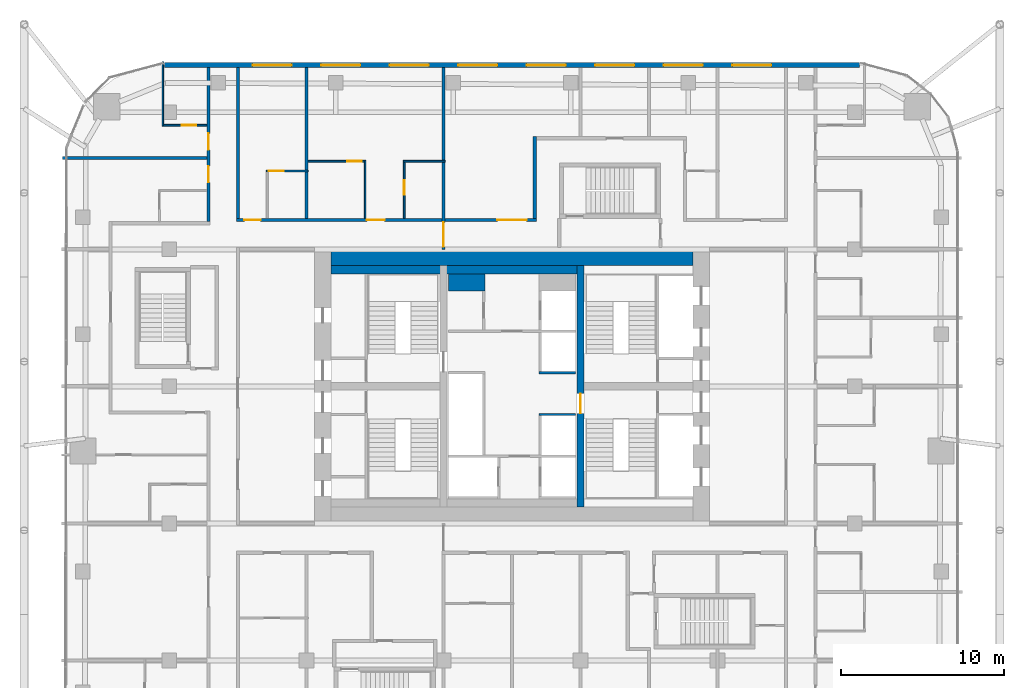
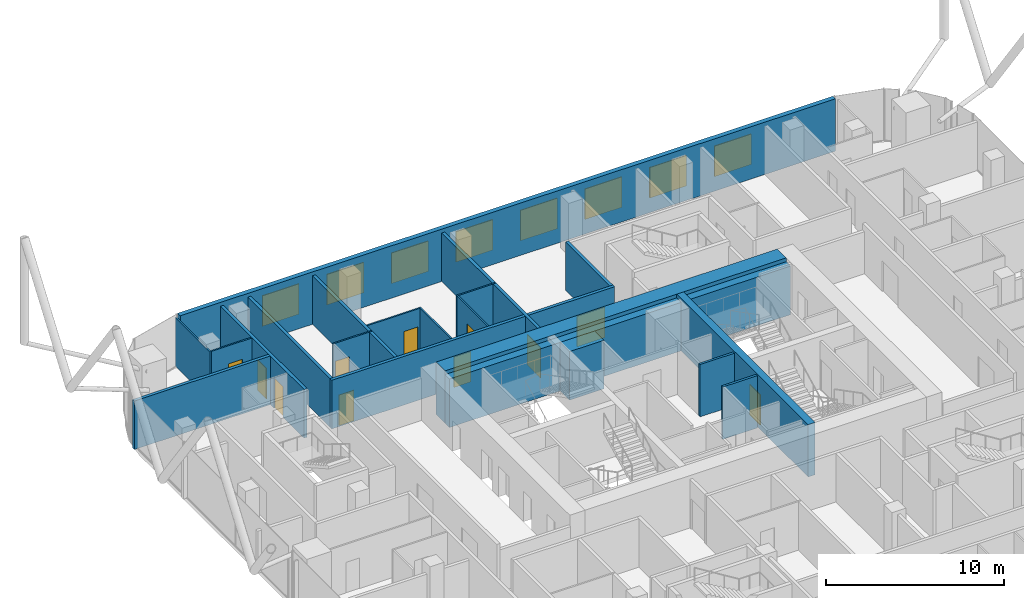
# One storey, part 32 of 36: 21 walls, 11 doors, 8 windows, 19 openings.
"""IFC4 building model written with IfcOpenShell, lengths in metres."""

from ifc_helpers import new_model, si_unit, direction, frame, frame_2d, origin, place, context, subcontext, project, spatial, rectangle, extrude, material, layer, layer_set, type_object, element, fill, save


model = new_model("IFC4")

# Units and contexts
model_context = context("Model", 3, precision=1e-05, world=origin(), true_north=direction((0.0, 1.0)))
body_context = subcontext(model_context, "Body", "Model", "MODEL_VIEW")
ifc_project = project(units=[si_unit("LENGTHUNIT", "METRE"), si_unit("AREAUNIT", "SQUARE_METRE"), si_unit("VOLUMEUNIT", "CUBIC_METRE"), si_unit("PLANEANGLEUNIT", "RADIAN"), si_unit("MASSUNIT", "GRAM", prefix="KILO")], contexts=[model_context])

# Site, building, storey
site_placement = place(None, origin())
site = spatial("IfcSite", under=ifc_project, at=site_placement, CompositionType="ELEMENT")
building_placement = place(site_placement, origin())
building = spatial("IfcBuilding", under=site, at=building_placement, Name="Marenta Gate Hotel Tower", CompositionType="ELEMENT")
storey_placement = place(building_placement, frame((0.0, 0.0, 130.10009765625)))
storey = spatial("IfcBuildingStorey", under=building, at=storey_placement, Name="L29", CompositionType="ELEMENT", Elevation=130.10009765625)

# Wall, openings, windows
ifc_material_1 = material(Name="Concrete C40 board-marked", Category="concrete")
ifc_layer_1 = layer(ifc_material_1, 0.300048828125)
ifc_layer_set_1 = layer_set([ifc_layer_1], Name="Concrete C40 board-marked")
wall_type_1 = type_object("IfcWallType", Name="Board-marked concrete wall 300 mm", PredefinedType="NOTDEFINED", material=ifc_layer_set_1)
wall_1_placement = place(storey_placement, frame((21.305908203125, 28.090087890625, 0.0), z_axis=(0.0, 0.0, 1.0), x_axis=(-1.0, 0.0, 0.0)))
wall_1 = element("IfcWall", 1, at=wall_1_placement, inside=storey, type_object=wall_type_1, Name="L29-CLD-N00", PredefinedType="NOTDEFINED", context=body_context, shape_type="SweptSolid", body=[
    extrude(rectangle(XDim=42.61181640625, YDim=0.300048828125, at=frame_2d((21.305908203125, 0.0))), origin(), (0.0, 0.0, 1.0), 3.599853515625),
])
opening_1_placement = place(wall_1_placement, frame((5.406005859375, 0.0, 0.89990234375)))
opening_1 = element("IfcOpeningElement", 2, at=opening_1_placement, cuts=wall_1, Name="Opening W1", PredefinedType="OPENING", context=body_context, shape_type="SweptSolid", body=[
    extrude(rectangle(XDim=2.39990234375, YDim=2.10009765625, at=frame_2d((1.199951171875, 1.050048828125))), frame((0.0, 0.14990234375, 0.0), z_axis=(0.0, -1.0, 0.0), x_axis=(1.0, 0.0, 0.0)), (0.0, 0.0, 1.0), 0.300048828125),
])
opening_2_placement = place(wall_1_placement, frame((9.60595703125, 0.0, 0.89990234375)))
opening_2 = element("IfcOpeningElement", 3, at=opening_2_placement, cuts=wall_1, Name="Opening W1", PredefinedType="OPENING", context=body_context, shape_type="SweptSolid", body=[
    extrude(rectangle(XDim=2.39990234375, YDim=2.10009765625, at=frame_2d((1.199951171875, 1.050048828125))), frame((0.0, 0.14990234375, 0.0), z_axis=(0.0, -1.0, 0.0), x_axis=(1.0, 0.0, 0.0)), (0.0, 0.0, 1.0), 0.300048828125),
])
opening_3_placement = place(wall_1_placement, frame((13.805908203125, 0.0, 0.89990234375)))
opening_3 = element("IfcOpeningElement", 4, at=opening_3_placement, cuts=wall_1, Name="Opening W1", PredefinedType="OPENING", context=body_context, shape_type="SweptSolid", body=[
    extrude(rectangle(XDim=2.39990234375, YDim=2.10009765625, at=frame_2d((1.199951171875, 1.050048828125))), frame((0.0, 0.14990234375, 0.0), z_axis=(0.0, -1.0, 0.0), x_axis=(1.0, 0.0, 0.0)), (0.0, 0.0, 1.0), 0.300048828125),
])
opening_4_placement = place(wall_1_placement, frame((18.005859375, 0.0, 0.89990234375)))
opening_4 = element("IfcOpeningElement", 5, at=opening_4_placement, cuts=wall_1, Name="Opening W1", PredefinedType="OPENING", context=body_context, shape_type="SweptSolid", body=[
    extrude(rectangle(XDim=2.39990234375, YDim=2.10009765625, at=frame_2d((1.199951171875, 1.050048828125))), frame((0.0, 0.14990234375, 0.0), z_axis=(0.0, -1.0, 0.0), x_axis=(1.0, 0.0, 0.0)), (0.0, 0.0, 1.0), 0.300048828125),
])
opening_5_placement = place(wall_1_placement, frame((22.205810546875, 0.0, 0.89990234375)))
opening_5 = element("IfcOpeningElement", 6, at=opening_5_placement, cuts=wall_1, Name="Opening W1", PredefinedType="OPENING", context=body_context, shape_type="SweptSolid", body=[
    extrude(rectangle(XDim=2.39990234375, YDim=2.10009765625, at=frame_2d((1.199951171875, 1.050048828125))), frame((0.0, 0.14990234375, 0.0), z_axis=(0.0, -1.0, 0.0), x_axis=(1.0, 0.0, 0.0)), (0.0, 0.0, 1.0), 0.300048828125),
])
opening_6_placement = place(wall_1_placement, frame((26.406005859375, 0.0, 0.89990234375)))
opening_6 = element("IfcOpeningElement", 7, at=opening_6_placement, cuts=wall_1, Name="Opening W1", PredefinedType="OPENING", context=body_context, shape_type="SweptSolid", body=[
    extrude(rectangle(XDim=2.39990234375, YDim=2.10009765625, at=frame_2d((1.199951171875, 1.050048828125))), frame((0.0, 0.14990234375, 0.0), z_axis=(0.0, -1.0, 0.0), x_axis=(1.0, 0.0, 0.0)), (0.0, 0.0, 1.0), 0.300048828125),
])
opening_7_placement = place(wall_1_placement, frame((30.60595703125, 0.0, 0.89990234375)))
opening_7 = element("IfcOpeningElement", 8, at=opening_7_placement, cuts=wall_1, Name="Opening W1", PredefinedType="OPENING", context=body_context, shape_type="SweptSolid", body=[
    extrude(rectangle(XDim=2.39990234375, YDim=2.10009765625, at=frame_2d((1.199951171875, 1.050048828125))), frame((0.0, 0.14990234375, 0.0), z_axis=(0.0, -1.0, 0.0), x_axis=(1.0, 0.0, 0.0)), (0.0, 0.0, 1.0), 0.300048828125),
])
opening_8_placement = place(wall_1_placement, frame((34.805908203125, 0.0, 0.89990234375)))
opening_8 = element("IfcOpeningElement", 9, at=opening_8_placement, cuts=wall_1, Name="Opening W1", PredefinedType="OPENING", context=body_context, shape_type="SweptSolid", body=[
    extrude(rectangle(XDim=2.39990234375, YDim=2.10009765625, at=frame_2d((1.199951171875, 1.050048828125))), frame((0.0, 0.14990234375, 0.0), z_axis=(0.0, -1.0, 0.0), x_axis=(1.0, 0.0, 0.0)), (0.0, 0.0, 1.0), 0.300048828125),
])
ifc_material_2 = material(Name="Tinted insulated glass in bronze anodised frame", Category="glass")
window_type = type_object("IfcWindowType", Name="Window W1 2400x2100 bronze frame", PartitioningType="SINGLE_PANEL", PredefinedType="WINDOW", material=ifc_material_2)
window_1_placement = place(opening_1_placement, origin())
window_1 = element("IfcWindow", 10, at=window_1_placement, inside=storey, type_object=window_type, Name="Window W1", OverallHeight=2.10009765625, OverallWidth=2.39990234375, PartitioningType="SINGLE_PANEL", PredefinedType="WINDOW", context=body_context, shape_type="SweptSolid", body=[
    extrude(rectangle(XDim=2.39990234375, YDim=2.10009765625, at=frame_2d((1.199951171875, 1.050048828125))), frame((0.0, 0.030029296875, 0.0), z_axis=(0.0, -1.0, 0.0), x_axis=(1.0, 0.0, 0.0)), (0.0, 0.0, 1.0), 0.06005859375),
])
fill(opening_1, window_1)
window_2_placement = place(opening_2_placement, origin())
window_2 = element("IfcWindow", 11, at=window_2_placement, inside=storey, type_object=window_type, Name="Window W1", OverallHeight=2.10009765625, OverallWidth=2.39990234375, PartitioningType="SINGLE_PANEL", PredefinedType="WINDOW", context=body_context, shape_type="SweptSolid", body=[
    extrude(rectangle(XDim=2.39990234375, YDim=2.10009765625, at=frame_2d((1.199951171875, 1.050048828125))), frame((0.0, 0.030029296875, 0.0), z_axis=(0.0, -1.0, 0.0), x_axis=(1.0, 0.0, 0.0)), (0.0, 0.0, 1.0), 0.06005859375),
])
fill(opening_2, window_2)
window_3_placement = place(opening_3_placement, origin())
window_3 = element("IfcWindow", 12, at=window_3_placement, inside=storey, type_object=window_type, Name="Window W1", OverallHeight=2.10009765625, OverallWidth=2.39990234375, PartitioningType="SINGLE_PANEL", PredefinedType="WINDOW", context=body_context, shape_type="SweptSolid", body=[
    extrude(rectangle(XDim=2.39990234375, YDim=2.10009765625, at=frame_2d((1.199951171875, 1.050048828125))), frame((0.0, 0.030029296875, 0.0), z_axis=(0.0, -1.0, 0.0), x_axis=(1.0, 0.0, 0.0)), (0.0, 0.0, 1.0), 0.06005859375),
])
fill(opening_3, window_3)
window_4_placement = place(opening_4_placement, origin())
window_4 = element("IfcWindow", 13, at=window_4_placement, inside=storey, type_object=window_type, Name="Window W1", OverallHeight=2.10009765625, OverallWidth=2.39990234375, PartitioningType="SINGLE_PANEL", PredefinedType="WINDOW", context=body_context, shape_type="SweptSolid", body=[
    extrude(rectangle(XDim=2.39990234375, YDim=2.10009765625, at=frame_2d((1.199951171875, 1.050048828125))), frame((0.0, 0.030029296875, 0.0), z_axis=(0.0, -1.0, 0.0), x_axis=(1.0, 0.0, 0.0)), (0.0, 0.0, 1.0), 0.06005859375),
])
fill(opening_4, window_4)
window_5_placement = place(opening_5_placement, origin())
window_5 = element("IfcWindow", 14, at=window_5_placement, inside=storey, type_object=window_type, Name="Window W1", OverallHeight=2.10009765625, OverallWidth=2.39990234375, PartitioningType="SINGLE_PANEL", PredefinedType="WINDOW", context=body_context, shape_type="SweptSolid", body=[
    extrude(rectangle(XDim=2.39990234375, YDim=2.10009765625, at=frame_2d((1.199951171875, 1.050048828125))), frame((0.0, 0.030029296875, 0.0), z_axis=(0.0, -1.0, 0.0), x_axis=(1.0, 0.0, 0.0)), (0.0, 0.0, 1.0), 0.06005859375),
])
fill(opening_5, window_5)
window_6_placement = place(opening_6_placement, origin())
window_6 = element("IfcWindow", 15, at=window_6_placement, inside=storey, type_object=window_type, Name="Window W1", OverallHeight=2.10009765625, OverallWidth=2.39990234375, PartitioningType="SINGLE_PANEL", PredefinedType="WINDOW", context=body_context, shape_type="SweptSolid", body=[
    extrude(rectangle(XDim=2.39990234375, YDim=2.10009765625, at=frame_2d((1.199951171875, 1.050048828125))), frame((0.0, 0.030029296875, 0.0), z_axis=(0.0, -1.0, 0.0), x_axis=(1.0, 0.0, 0.0)), (0.0, 0.0, 1.0), 0.06005859375),
])
fill(opening_6, window_6)
window_7_placement = place(opening_7_placement, origin())
window_7 = element("IfcWindow", 16, at=window_7_placement, inside=storey, type_object=window_type, Name="Window W1", OverallHeight=2.10009765625, OverallWidth=2.39990234375, PartitioningType="SINGLE_PANEL", PredefinedType="WINDOW", context=body_context, shape_type="SweptSolid", body=[
    extrude(rectangle(XDim=2.39990234375, YDim=2.10009765625, at=frame_2d((1.199951171875, 1.050048828125))), frame((0.0, 0.030029296875, 0.0), z_axis=(0.0, -1.0, 0.0), x_axis=(1.0, 0.0, 0.0)), (0.0, 0.0, 1.0), 0.06005859375),
])
fill(opening_7, window_7)
window_8_placement = place(opening_8_placement, origin())
window_8 = element("IfcWindow", 17, at=window_8_placement, inside=storey, type_object=window_type, Name="Window W1", OverallHeight=2.10009765625, OverallWidth=2.39990234375, PartitioningType="SINGLE_PANEL", PredefinedType="WINDOW", context=body_context, shape_type="SweptSolid", body=[
    extrude(rectangle(XDim=2.39990234375, YDim=2.10009765625, at=frame_2d((1.199951171875, 1.050048828125))), frame((0.0, 0.030029296875, 0.0), z_axis=(0.0, -1.0, 0.0), x_axis=(1.0, 0.0, 0.0)), (0.0, 0.0, 1.0), 0.06005859375),
])
fill(opening_8, window_8)

# Wall, opening, door
ifc_material_3 = material(Name="Concrete blockwork", Category="masonry")
ifc_layer_2 = layer(ifc_material_3, 0.199951171875)
ifc_layer_set_2 = layer_set([ifc_layer_2], Name="Concrete blockwork")
wall_type_2 = type_object("IfcWallType", Name="Compartment wall 200 REI 180", PredefinedType="PARTITIONING", material=ifc_layer_set_2)
wall_2_placement = place(storey_placement, frame((-4.199951171875, 16.800048828125, 0.0), z_axis=(0.0, 0.0, 1.0), x_axis=(0.0, 1.0, 0.0)))
wall_2 = element("IfcWall", 18, at=wall_2_placement, inside=storey, type_object=wall_type_2, Name="L29-PTN-W080", PredefinedType="PARTITIONING", context=body_context, shape_type="SweptSolid", body=[
    extrude(rectangle(XDim=11.139892578125, YDim=0.199951171875, at=frame_2d((5.56982421875, 0.0))), origin(), (0.0, 0.0, 1.0), 3.33984375),
])
opening_9_placement = place(wall_2_placement, frame((0.14990234375, 0.0, 0.0)))
opening_9 = element("IfcOpeningElement", 19, at=opening_9_placement, cuts=wall_2, Name="Opening G10-FD1", PredefinedType="OPENING", context=body_context, shape_type="SweptSolid", body=[
    extrude(rectangle(XDim=1.5, YDim=2.10009765625, at=frame_2d((0.75, 1.050048828125))), frame((0.0, 0.10009765625, 0.0), z_axis=(0.0, -1.0, 0.0), x_axis=(1.0, 0.0, 0.0)), (0.0, 0.0, 1.0), 0.199951171875),
])
ifc_material_4 = material(Name="Hollow steel door set", Category="steel")
door_type_1 = type_object("IfcDoorType", Name="Compartment fire door 1500x2100 EI 60", OperationType="DOUBLE_DOOR_DOUBLE_SWING", PredefinedType="DOOR", material=ifc_material_4)
door_1_placement = place(opening_9_placement, origin())
door_1 = element("IfcDoor", 20, at=door_1_placement, inside=storey, type_object=door_type_1, Name="L29-PD-FD01", OperationType="DOUBLE_DOOR_DOUBLE_SWING", OverallHeight=2.10009765625, OverallWidth=1.5, PredefinedType="DOOR", context=body_context, shape_type="SweptSolid", body=[
    extrude(rectangle(XDim=1.5, YDim=2.10009765625, at=frame_2d((0.75, 1.050048828125))), frame((0.0, 0.02490234375, 0.0), z_axis=(0.0, -1.0, 0.0), x_axis=(1.0, 0.0, 0.0)), (0.0, 0.0, 1.0), 0.050048828125),
])
fill(opening_9, door_1)

# Walls
ifc_material_5 = material(Name="Concrete C40", Category="concrete")
ifc_layer_3 = layer(ifc_material_5, 0.5)
ifc_layer_set_3 = layer_set([ifc_layer_3], Name="Concrete C40")
wall_type_3 = type_object("IfcWallType", Name="Core lining wall 500 REI 180", PredefinedType="PARTITIONING", material=ifc_layer_set_3)
wall_3_placement = place(storey_placement, frame((-11.10009765625, 15.550048828125, 0.0), z_axis=(0.0, 0.0, 1.0), x_axis=(1.0, 0.0, 0.0)))
element("IfcWall", 21, at=wall_3_placement, inside=storey, type_object=wall_type_3, Name="L29-CP-LN-N", PredefinedType="PARTITIONING", context=body_context, shape_type="SweptSolid", body=[
    extrude(rectangle(XDim=22.2001953125, YDim=0.5, at=frame_2d((11.10009765625, 0.0))), origin(), (0.0, 0.0, 1.0), 3.33984375),
])
ifc_material_6 = material(Name="Concrete blockwork", Category="masonry")
ifc_layer_4 = layer(ifc_material_6, 1.050048828125)
ifc_layer_set_4 = layer_set([ifc_layer_4], Name="Concrete blockwork")
wall_type_4 = type_object("IfcWallType", Name="Core room partition 1050 REI 180", PredefinedType="PARTITIONING", material=ifc_layer_set_4)
wall_4_placement = place(storey_placement, frame((-3.89990234375, 14.77490234375, 0.0), z_axis=(0.0, 0.0, 1.0), x_axis=(1.0, 0.0, 0.0)))
element("IfcWall", 22, at=wall_4_placement, inside=storey, type_object=wall_type_4, Name="L29-CP-CW-W-riser-N", PredefinedType="PARTITIONING", context=body_context, shape_type="SweptSolid", body=[
    extrude(rectangle(XDim=2.25, YDim=1.050048828125, at=frame_2d((1.125, 0.0))), origin(), (0.0, 0.0, 1.0), 3.33984375),
])
ifc_material_7 = material(Name="Concrete C40", Category="concrete")
ifc_layer_5 = layer(ifc_material_7, 0.14990234375)
ifc_layer_set_5 = layer_set([ifc_layer_5], Name="Concrete C40")
wall_type_5 = type_object("IfcWallType", Name="Core shaft wall 150 REI 180", PredefinedType="SHEAR", material=ifc_layer_set_5)
for number, where, z_axis, x_axis, name in (
    (23, (1.64990234375, 6.675048828125, 0.0), (0.0, 0.0, 1.0), (1.0, 0.0, 0.0), "L29-SHF-CE-sep1"),
    (24, (1.64990234375, 9.22509765625, 0.0), (0.0, 0.0, 1.0), (1.0, 0.0, 0.0), "L29-SHF-CE-sep2"),
):
    element("IfcWall", number, at=place(storey_placement, frame(where, z_axis=z_axis, x_axis=x_axis)), inside=storey, type_object=wall_type_5, Name=name, PredefinedType="SHEAR", context=body_context, shape_type="SweptSolid", body=[
        extrude(rectangle(XDim=2.25, YDim=0.14990234375, at=frame_2d((1.125, 0.0))), origin(), (0.0, 0.0, 1.0), 3.599853515625),
    ])
ifc_material_8 = material(Name="Concrete C70", Category="concrete")
ifc_layer_6 = layer(ifc_material_8, 1.0)
ifc_layer_set_6 = layer_set([ifc_layer_6], Name="Concrete C70")
wall_type_6 = type_object("IfcWallType", Name="Core wall 1000 C70", PredefinedType="SHEAR", material=ifc_layer_set_6)
wall_5_placement = place(storey_placement, frame((-11.10009765625, 16.300048828125, 0.0), z_axis=(0.0, 0.0, 1.0), x_axis=(1.0, 0.0, 0.0)))
element("IfcWall", 25, at=wall_5_placement, inside=storey, type_object=wall_type_6, Name="L29-CORE-N", PredefinedType="SHEAR", context=body_context, shape_type="SweptSolid", body=[
    extrude(rectangle(XDim=22.2001953125, YDim=1.0, at=frame_2d((11.10009765625, 0.0))), origin(), (0.0, 0.0, 1.0), 3.599853515625),
])

# Wall, opening, door
ifc_material_9 = material(Name="Concrete C70", Category="concrete")
ifc_layer_7 = layer(ifc_material_9, 0.449951171875)
ifc_layer_set_7 = layer_set([ifc_layer_7], Name="Concrete C70")
wall_type_7 = type_object("IfcWallType", Name="Core web 450 C70", PredefinedType="SHEAR", material=ifc_layer_set_7)
wall_6_placement = place(storey_placement, frame((4.199951171875, 1.0, 0.0), z_axis=(0.0, 0.0, 1.0), x_axis=(0.0, 1.0, 0.0)))
wall_6 = element("IfcWall", 26, at=wall_6_placement, inside=storey, type_object=wall_type_7, Name="L29-CORE-W2", PredefinedType="SHEAR", context=body_context, shape_type="SweptSolid", body=[
    extrude(rectangle(XDim=14.800048828125, YDim=0.449951171875, at=frame_2d((7.39990234375, 0.0))), origin(), (0.0, 0.0, 1.0), 3.599853515625),
])
opening_10_placement = place(wall_6_placement, frame((5.75, 0.0, 0.0)))
opening_10 = element("IfcOpeningElement", 27, at=opening_10_placement, cuts=wall_6, Name="Opening WD-E", PredefinedType="OPENING", context=body_context, shape_type="SweptSolid", body=[
    extrude(rectangle(XDim=1.199951171875, YDim=2.10009765625, at=frame_2d((0.60009765625, 1.050048828125))), frame((0.0, 0.22509765625, 0.0), z_axis=(0.0, -1.0, 0.0), x_axis=(1.0, 0.0, 0.0)), (0.0, 0.0, 1.0), 0.449951171875),
])
ifc_material_10 = material(Name="Steel", Category="steel")
door_type_2 = type_object("IfcDoorType", Name="Core stair door 1200x2100 FD60", OperationType="SINGLE_SWING_LEFT", PredefinedType="DOOR", material=ifc_material_10)
door_2_placement = place(opening_10_placement, origin())
door_2 = element("IfcDoor", 28, at=door_2_placement, inside=storey, type_object=door_type_2, Name="WD-E", OperationType="SINGLE_SWING_LEFT", OverallHeight=2.10009765625, OverallWidth=1.199951171875, PredefinedType="DOOR", context=body_context, shape_type="SweptSolid", body=[
    extrude(rectangle(XDim=1.199951171875, YDim=2.10009765625, at=frame_2d((0.60009765625, 1.050048828125))), frame((0.0, 0.02490234375, 0.0), z_axis=(0.0, -1.0, 0.0), x_axis=(1.0, 0.0, 0.0)), (0.0, 0.0, 1.0), 0.050048828125),
])
fill(opening_10, door_2)

# Walls
ifc_material_11 = material(Name="Gypsum board on steel stud", Category="steel")
ifc_layer_8 = layer(ifc_material_11, 0.199951171875)
ifc_layer_set_8 = layer_set([ifc_layer_8], Name="Gypsum board on steel stud")
wall_type_8 = type_object("IfcWallType", Name="Room corridor wall 200 EI 60", PredefinedType="PARTITIONING", material=ifc_layer_set_8)
wall_7_placement = place(storey_placement, frame((1.39990234375, 18.699951171875, 0.0), z_axis=(0.0, 0.0, 1.0), x_axis=(0.0, 1.0, 0.0)))
element("IfcWall", 29, at=wall_7_placement, inside=storey, type_object=wall_type_8, Name="L29-PTN-W071", PredefinedType="PARTITIONING", context=body_context, shape_type="SweptSolid", body=[
    extrude(rectangle(XDim=5.0, YDim=0.199951171875, at=frame_2d((2.5, 0.0))), origin(), (0.0, 0.0, 1.0), 3.33984375),
])
wall_8_placement = place(storey_placement, frame((-16.800048828125, 18.699951171875, 0.0), z_axis=(0.0, 0.0, 1.0), x_axis=(0.0, 1.0, 0.0)))
element("IfcWall", 30, at=wall_8_placement, inside=storey, type_object=wall_type_8, Name="L29-PTN-W106", PredefinedType="PARTITIONING", context=body_context, shape_type="SweptSolid", body=[
    extrude(rectangle(XDim=9.239990234375, YDim=0.199951171875, at=frame_2d((4.6201171875, 0.0))), origin(), (0.0, 0.0, 1.0), 3.33984375),
])

# Wall, openings, doors
wall_9_placement = place(storey_placement, frame((-18.60009765625, 18.5, 0.0), z_axis=(0.0, 0.0, 1.0), x_axis=(0.0, 1.0, 0.0)))
wall_9 = element("IfcWall", 31, at=wall_9_placement, inside=storey, type_object=wall_type_8, Name="L29-PTN-W112", PredefinedType="PARTITIONING", context=body_context, shape_type="SweptSolid", body=[
    extrude(rectangle(XDim=9.43994140625, YDim=0.199951171875, at=frame_2d((4.719970703125, 0.0))), origin(), (0.0, 0.0, 1.0), 3.33984375),
])
opening_11_placement = place(wall_9_placement, frame((2.39990234375, 0.0, 0.0)))
opening_11 = element("IfcOpeningElement", 32, at=opening_11_placement, cuts=wall_9, Name="Opening G10-65", PredefinedType="OPENING", context=body_context, shape_type="SweptSolid", body=[
    extrude(rectangle(XDim=1.0, YDim=2.10009765625, at=frame_2d((0.5, 1.050048828125))), frame((0.0, 0.10009765625, 0.0), z_axis=(0.0, -1.0, 0.0), x_axis=(1.0, 0.0, 0.0)), (0.0, 0.0, 1.0), 0.199951171875),
])
opening_12_placement = place(wall_9_placement, frame((4.39990234375, 0.0, 0.0)))
opening_12 = element("IfcOpeningElement", 33, at=opening_12_placement, cuts=wall_9, Name="Opening G10-67", PredefinedType="OPENING", context=body_context, shape_type="SweptSolid", body=[
    extrude(rectangle(XDim=1.0, YDim=2.10009765625, at=frame_2d((0.5, 1.050048828125))), frame((0.0, 0.10009765625, 0.0), z_axis=(0.0, -1.0, 0.0), x_axis=(1.0, 0.0, 0.0)), (0.0, 0.0, 1.0), 0.199951171875),
])
ifc_material_12 = material(Name="Timber door leaf", Category="wood")
door_type_3 = type_object("IfcDoorType", Name="Guest room door 1000x2100 EI 30", OperationType="NOTDEFINED", PredefinedType="DOOR", material=ifc_material_12)
door_3_placement = place(opening_11_placement, origin())
door_3 = element("IfcDoor", 34, at=door_3_placement, inside=storey, type_object=door_type_3, Name="L29-PD-D065", OperationType="SINGLE_SWING_RIGHT", OverallHeight=2.10009765625, OverallWidth=1.0, PredefinedType="DOOR", context=body_context, shape_type="SweptSolid", body=[
    extrude(rectangle(XDim=1.0, YDim=2.10009765625, at=frame_2d((0.5, 1.050048828125))), frame((0.0, 0.02490234375, 0.0), z_axis=(0.0, -1.0, 0.0), x_axis=(1.0, 0.0, 0.0)), (0.0, 0.0, 1.0), 0.050048828125),
])
fill(opening_11, door_3)
door_4_placement = place(opening_12_placement, origin())
door_4 = element("IfcDoor", 35, at=door_4_placement, inside=storey, type_object=door_type_3, Name="L29-PD-D067", OperationType="SINGLE_SWING_RIGHT", OverallHeight=2.10009765625, OverallWidth=1.0, PredefinedType="DOOR", context=body_context, shape_type="SweptSolid", body=[
    extrude(rectangle(XDim=1.0, YDim=2.10009765625, at=frame_2d((0.5, 1.050048828125))), frame((0.0, 0.02490234375, 0.0), z_axis=(0.0, -1.0, 0.0), x_axis=(1.0, 0.0, 0.0)), (0.0, 0.0, 1.0), 0.050048828125),
])
fill(opening_12, door_4)

wall_10_placement = place(storey_placement, frame((-16.89990234375, 18.60009765625, 0.0), z_axis=(0.0, 0.0, 1.0), x_axis=(1.0, 0.0, 0.0)))
wall_10 = element("IfcWall", 36, at=wall_10_placement, inside=storey, type_object=wall_type_8, Name="L29-PTN-W113", PredefinedType="PARTITIONING", context=body_context, shape_type="SweptSolid", body=[
    extrude(rectangle(XDim=18.39990234375, YDim=0.199951171875, at=frame_2d((9.199951171875, 0.0))), origin(), (0.0, 0.0, 1.0), 3.33984375),
])
opening_13_placement = place(wall_10_placement, frame((0.5, 0.0, 0.0)))
opening_13 = element("IfcOpeningElement", 37, at=opening_13_placement, cuts=wall_10, Name="Opening G10-30", PredefinedType="OPENING", context=body_context, shape_type="SweptSolid", body=[
    extrude(rectangle(XDim=1.0, YDim=2.10009765625, at=frame_2d((0.5, 1.050048828125))), frame((0.0, 0.10009765625, 0.0), z_axis=(0.0, -1.0, 0.0), x_axis=(1.0, 0.0, 0.0)), (0.0, 0.0, 1.0), 0.199951171875),
])
opening_14_placement = place(wall_10_placement, frame((8.0, 0.0, 0.0)))
opening_14 = element("IfcOpeningElement", 38, at=opening_14_placement, cuts=wall_10, Name="Opening G10-32", PredefinedType="OPENING", context=body_context, shape_type="SweptSolid", body=[
    extrude(rectangle(XDim=1.10009765625, YDim=2.10009765625, at=frame_2d((0.550048828125, 1.050048828125))), frame((0.0, 0.10009765625, 0.0), z_axis=(0.0, -1.0, 0.0), x_axis=(1.0, 0.0, 0.0)), (0.0, 0.0, 1.0), 0.199951171875),
])
opening_15_placement = place(wall_10_placement, frame((16.0, 0.0, 0.0)))
opening_15 = element("IfcOpeningElement", 39, at=opening_15_placement, cuts=wall_10, Name="Opening G10-35", PredefinedType="OPENING", context=body_context, shape_type="SweptSolid", body=[
    extrude(rectangle(XDim=1.800048828125, YDim=2.10009765625, at=frame_2d((0.89990234375, 1.050048828125))), frame((0.0, 0.10009765625, 0.0), z_axis=(0.0, -1.0, 0.0), x_axis=(1.0, 0.0, 0.0)), (0.0, 0.0, 1.0), 0.199951171875),
])
door_5_placement = place(opening_13_placement, origin())
door_5 = element("IfcDoor", 40, at=door_5_placement, inside=storey, type_object=door_type_3, Name="L29-PD-D030", OperationType="SINGLE_SWING_LEFT", OverallHeight=2.10009765625, OverallWidth=1.0, PredefinedType="DOOR", context=body_context, shape_type="SweptSolid", body=[
    extrude(rectangle(XDim=1.0, YDim=2.10009765625, at=frame_2d((0.5, 1.050048828125))), frame((0.0, 0.02490234375, 0.0), z_axis=(0.0, -1.0, 0.0), x_axis=(1.0, 0.0, 0.0)), (0.0, 0.0, 1.0), 0.050048828125),
])
fill(opening_13, door_5)
ifc_material_13 = material(Name="Timber door leaf", Category="wood")
door_type_4 = type_object("IfcDoorType", Name="Guest room door 1100x2100 EI 30", OperationType="NOTDEFINED", PredefinedType="DOOR", material=ifc_material_13)
door_6_placement = place(opening_14_placement, origin())
door_6 = element("IfcDoor", 41, at=door_6_placement, inside=storey, type_object=door_type_4, Name="L29-PD-D032", OperationType="SINGLE_SWING_LEFT", OverallHeight=2.10009765625, OverallWidth=1.10009765625, PredefinedType="DOOR", context=body_context, shape_type="SweptSolid", body=[
    extrude(rectangle(XDim=1.10009765625, YDim=2.10009765625, at=frame_2d((0.550048828125, 1.050048828125))), frame((0.0, 0.02490234375, 0.0), z_axis=(0.0, -1.0, 0.0), x_axis=(1.0, 0.0, 0.0)), (0.0, 0.0, 1.0), 0.050048828125),
])
fill(opening_14, door_6)
ifc_material_14 = material(Name="Timber door leaf", Category="wood")
door_type_5 = type_object("IfcDoorType", Name="Room amenity door 1800x2100 EI 30", OperationType="DOUBLE_DOOR_SINGLE_SWING", PredefinedType="DOOR", material=ifc_material_14)
door_7_placement = place(opening_15_placement, origin())
door_7 = element("IfcDoor", 42, at=door_7_placement, inside=storey, type_object=door_type_5, Name="L29-PD-D035", OperationType="DOUBLE_DOOR_SINGLE_SWING", OverallHeight=2.10009765625, OverallWidth=1.800048828125, PredefinedType="DOOR", context=body_context, shape_type="SweptSolid", body=[
    extrude(rectangle(XDim=1.800048828125, YDim=2.10009765625, at=frame_2d((0.89990234375, 1.050048828125))), frame((0.0, 0.02490234375, 0.0), z_axis=(0.0, -1.0, 0.0), x_axis=(1.0, 0.0, 0.0)), (0.0, 0.0, 1.0), 0.050048828125),
])
fill(opening_15, door_7)

# Wall, opening, door
ifc_material_15 = material(Name="Gypsum board on steel stud", Category="steel")
ifc_layer_9 = layer(ifc_material_15, 0.10009765625)
ifc_layer_set_9 = layer_set([ifc_layer_9], Name="Gypsum board on steel stud")
wall_type_9 = type_object("IfcWallType", Name="Room partition 100", PredefinedType="PARTITIONING", material=ifc_layer_set_9)
wall_11_placement = place(storey_placement, frame((-6.60009765625, 18.699951171875, 0.0), z_axis=(0.0, 0.0, 1.0), x_axis=(0.0, 1.0, 0.0)))
wall_11 = element("IfcWall", 43, at=wall_11_placement, inside=storey, type_object=wall_type_9, Name="L29-PTN-W085", PredefinedType="PARTITIONING", context=body_context, shape_type="SweptSolid", body=[
    extrude(rectangle(XDim=3.449951171875, YDim=0.10009765625, at=frame_2d((1.72509765625, 0.0))), origin(), (0.0, 0.0, 1.0), 3.33984375),
])
opening_16_placement = place(wall_11_placement, frame((1.429931640625, 0.0, 0.0)))
opening_16 = element("IfcOpeningElement", 44, at=opening_16_placement, cuts=wall_11, Name="Opening G10-34", PredefinedType="OPENING", context=body_context, shape_type="SweptSolid", body=[
    extrude(rectangle(XDim=0.89990234375, YDim=2.10009765625, at=frame_2d((0.449951171875, 1.050048828125))), frame((0.0, 0.050048828125, 0.0), z_axis=(0.0, -1.0, 0.0), x_axis=(1.0, 0.0, 0.0)), (0.0, 0.0, 1.0), 0.10009765625),
])
ifc_material_16 = material(Name="Timber door leaf", Category="wood")
door_type_6 = type_object("IfcDoorType", Name="Room inner door 900x2100", OperationType="NOTDEFINED", PredefinedType="DOOR", material=ifc_material_16)
door_8_placement = place(opening_16_placement, origin())
door_8 = element("IfcDoor", 45, at=door_8_placement, inside=storey, type_object=door_type_6, Name="L29-PD-D034", OperationType="SINGLE_SWING_LEFT", OverallHeight=2.10009765625, OverallWidth=0.89990234375, PredefinedType="DOOR", context=body_context, shape_type="SweptSolid", body=[
    extrude(rectangle(XDim=0.89990234375, YDim=2.10009765625, at=frame_2d((0.449951171875, 1.050048828125))), frame((0.0, 0.02490234375, 0.0), z_axis=(0.0, -1.0, 0.0), x_axis=(1.0, 0.0, 0.0)), (0.0, 0.0, 1.0), 0.050048828125),
])
fill(opening_16, door_8)

# Walls
wall_12_placement = place(storey_placement, frame((-9.0, 18.699951171875, 0.0), z_axis=(0.0, 0.0, 1.0), x_axis=(0.0, 1.0, 0.0)))
element("IfcWall", 46, at=wall_12_placement, inside=storey, type_object=wall_type_9, Name="L29-PTN-W091", PredefinedType="PARTITIONING", context=body_context, shape_type="SweptSolid", body=[
    extrude(rectangle(XDim=3.550048828125, YDim=0.10009765625, at=frame_2d((1.77490234375, 0.0))), origin(), (0.0, 0.0, 1.0), 3.33984375),
])
wall_13_placement = place(storey_placement, frame((-21.39990234375, 24.35009765625, 0.0), z_axis=(0.0, 0.0, 1.0), x_axis=(0.0, 1.0, 0.0)))
element("IfcWall", 47, at=wall_13_placement, inside=storey, type_object=wall_type_9, Name="L29-PTN-W118", PredefinedType="PARTITIONING", context=body_context, shape_type="SweptSolid", body=[
    extrude(rectangle(XDim=3.93701171875, YDim=0.10009765625, at=frame_2d((1.968505859375, 0.0))), origin(), (0.0, 0.0, 1.0), 3.33984375),
])

# Wall, opening, door
wall_14_placement = place(storey_placement, frame((-15.050048828125, 21.60009765625, 0.0), z_axis=(0.0, 0.0, 1.0), x_axis=(1.0, 0.0, 0.0)))
wall_14 = element("IfcWall", 48, at=wall_14_placement, inside=storey, type_object=wall_type_9, Name="L29-PTN-W120", PredefinedType="PARTITIONING", context=body_context, shape_type="SweptSolid", body=[
    extrude(rectangle(XDim=2.550048828125, YDim=0.10009765625, at=frame_2d((1.27490234375, 0.0))), origin(), (0.0, 0.0, 1.0), 3.33984375),
])
opening_17_placement = place(wall_14_placement, frame((0.14990234375, 0.0, 0.0)))
opening_17 = element("IfcOpeningElement", 49, at=opening_17_placement, cuts=wall_14, Name="Opening G10-31", PredefinedType="OPENING", context=body_context, shape_type="SweptSolid", body=[
    extrude(rectangle(XDim=0.89990234375, YDim=2.10009765625, at=frame_2d((0.449951171875, 1.050048828125))), frame((0.0, 0.050048828125, 0.0), z_axis=(0.0, -1.0, 0.0), x_axis=(1.0, 0.0, 0.0)), (0.0, 0.0, 1.0), 0.10009765625),
])
ifc_material_17 = material(Name="Timber door leaf", Category="wood")
door_type_7 = type_object("IfcDoorType", Name="Guest bathroom door 900x2100", OperationType="NOTDEFINED", PredefinedType="DOOR", material=ifc_material_17)
door_9_placement = place(opening_17_placement, origin())
door_9 = element("IfcDoor", 50, at=door_9_placement, inside=storey, type_object=door_type_7, Name="L29-PD-D031", OperationType="SINGLE_SWING_RIGHT", OverallHeight=2.10009765625, OverallWidth=0.89990234375, PredefinedType="DOOR", context=body_context, shape_type="SweptSolid", body=[
    extrude(rectangle(XDim=0.89990234375, YDim=2.10009765625, at=frame_2d((0.449951171875, 1.050048828125))), frame((0.0, 0.02490234375, 0.0), z_axis=(0.0, -1.0, 0.0), x_axis=(1.0, 0.0, 0.0)), (0.0, 0.0, 1.0), 0.050048828125),
])
fill(opening_17, door_9)

wall_15_placement = place(storey_placement, frame((-12.5, 22.199951171875, 0.0), z_axis=(0.0, 0.0, 1.0), x_axis=(1.0, 0.0, 0.0)))
wall_15 = element("IfcWall", 51, at=wall_15_placement, inside=storey, type_object=wall_type_9, Name="L29-PTN-W123", PredefinedType="PARTITIONING", context=body_context, shape_type="SweptSolid", body=[
    extrude(rectangle(XDim=3.449951171875, YDim=0.10009765625, at=frame_2d((1.72509765625, 0.0))), origin(), (0.0, 0.0, 1.0), 3.33984375),
])
opening_18_placement = place(wall_15_placement, frame((2.39990234375, 0.0, 0.0)))
opening_18 = element("IfcOpeningElement", 52, at=opening_18_placement, cuts=wall_15, Name="Opening G10-33", PredefinedType="OPENING", context=body_context, shape_type="SweptSolid", body=[
    extrude(rectangle(XDim=0.89990234375, YDim=2.10009765625, at=frame_2d((0.449951171875, 1.050048828125))), frame((0.0, 0.050048828125, 0.0), z_axis=(0.0, -1.0, 0.0), x_axis=(1.0, 0.0, 0.0)), (0.0, 0.0, 1.0), 0.10009765625),
])
door_10_placement = place(opening_18_placement, origin())
door_10 = element("IfcDoor", 53, at=door_10_placement, inside=storey, type_object=door_type_7, Name="L29-PD-D033", OperationType="SINGLE_SWING_LEFT", OverallHeight=2.10009765625, OverallWidth=0.89990234375, PredefinedType="DOOR", context=body_context, shape_type="SweptSolid", body=[
    extrude(rectangle(XDim=0.89990234375, YDim=2.10009765625, at=frame_2d((0.449951171875, 1.050048828125))), frame((0.0, 0.02490234375, 0.0), z_axis=(0.0, -1.0, 0.0), x_axis=(1.0, 0.0, 0.0)), (0.0, 0.0, 1.0), 0.050048828125),
])
fill(opening_18, door_10)

# Wall
wall_16_placement = place(storey_placement, frame((-6.64990234375, 22.199951171875, 0.0), z_axis=(0.0, 0.0, 1.0), x_axis=(1.0, 0.0, 0.0)))
element("IfcWall", 54, at=wall_16_placement, inside=storey, type_object=wall_type_9, Name="L29-PTN-W124", PredefinedType="PARTITIONING", context=body_context, shape_type="SweptSolid", body=[
    extrude(rectangle(XDim=2.5498046875, YDim=0.10009765625, at=frame_2d((1.27490234375, 0.0))), origin(), (0.0, 0.0, 1.0), 3.33984375),
])

# Wall, opening, door
wall_17_placement = place(storey_placement, frame((-21.35009765625, 24.39990234375, 0.0), z_axis=(0.0, 0.0, 1.0), x_axis=(1.0, 0.0, 0.0)))
wall_17 = element("IfcWall", 55, at=wall_17_placement, inside=storey, type_object=wall_type_9, Name="L29-PTN-W129", PredefinedType="PARTITIONING", context=body_context, shape_type="SweptSolid", body=[
    extrude(rectangle(XDim=2.650146484375, YDim=0.10009765625, at=frame_2d((1.3251953125, 0.0))), origin(), (0.0, 0.0, 1.0), 3.33984375),
])
opening_19_placement = place(wall_17_placement, frame((1.110107421875, 0.0, 0.0)))
opening_19 = element("IfcOpeningElement", 56, at=opening_19_placement, cuts=wall_17, Name="Opening G10-68", PredefinedType="OPENING", context=body_context, shape_type="SweptSolid", body=[
    extrude(rectangle(XDim=0.89990234375, YDim=2.10009765625, at=frame_2d((0.449951171875, 1.050048828125))), frame((0.0, 0.050048828125, 0.0), z_axis=(0.0, -1.0, 0.0), x_axis=(1.0, 0.0, 0.0)), (0.0, 0.0, 1.0), 0.10009765625),
])
door_11_placement = place(opening_19_placement, origin())
door_11 = element("IfcDoor", 57, at=door_11_placement, inside=storey, type_object=door_type_7, Name="L29-PD-D068", OperationType="SINGLE_SWING_LEFT", OverallHeight=2.10009765625, OverallWidth=0.89990234375, PredefinedType="DOOR", context=body_context, shape_type="SweptSolid", body=[
    extrude(rectangle(XDim=0.89990234375, YDim=2.10009765625, at=frame_2d((0.449951171875, 1.050048828125))), frame((0.0, 0.02490234375, 0.0), z_axis=(0.0, -1.0, 0.0), x_axis=(1.0, 0.0, 0.0)), (0.0, 0.0, 1.0), 0.050048828125),
])
fill(opening_19, door_11)

# Walls
ifc_material_18 = material(Name="Gypsum board on steel stud", Category="steel")
ifc_layer_10 = layer(ifc_material_18, 0.199951171875)
ifc_layer_set_10 = layer_set([ifc_layer_10], Name="Gypsum board on steel stud")
wall_type_10 = type_object("IfcWallType", Name="Room party wall 200 EI 60", PredefinedType="PARTITIONING", material=ifc_layer_set_10)
wall_18_placement = place(storey_placement, frame((-12.60009765625, 18.699951171875, 0.0), z_axis=(0.0, 0.0, 1.0), x_axis=(0.0, 1.0, 0.0)))
element("IfcWall", 58, at=wall_18_placement, inside=storey, type_object=wall_type_10, Name="L29-PTN-W098", PredefinedType="PARTITIONING", context=body_context, shape_type="SweptSolid", body=[
    extrude(rectangle(XDim=9.239990234375, YDim=0.199951171875, at=frame_2d((4.6201171875, 0.0))), origin(), (0.0, 0.0, 1.0), 3.33984375),
])
wall_19_placement = place(storey_placement, frame((-27.547119140625, 22.39990234375, 0.0), z_axis=(0.0, 0.0, 1.0), x_axis=(1.0, 0.0, 0.0)))
element("IfcWall", 59, at=wall_19_placement, inside=storey, type_object=wall_type_10, Name="L29-PTN-W125", PredefinedType="PARTITIONING", context=body_context, shape_type="SweptSolid", body=[
    extrude(rectangle(XDim=8.84716796875, YDim=0.199951171875, at=frame_2d((4.423583984375, 0.0))), origin(), (0.0, 0.0, 1.0), 3.33984375),
])

save(model, "model.ifc")
